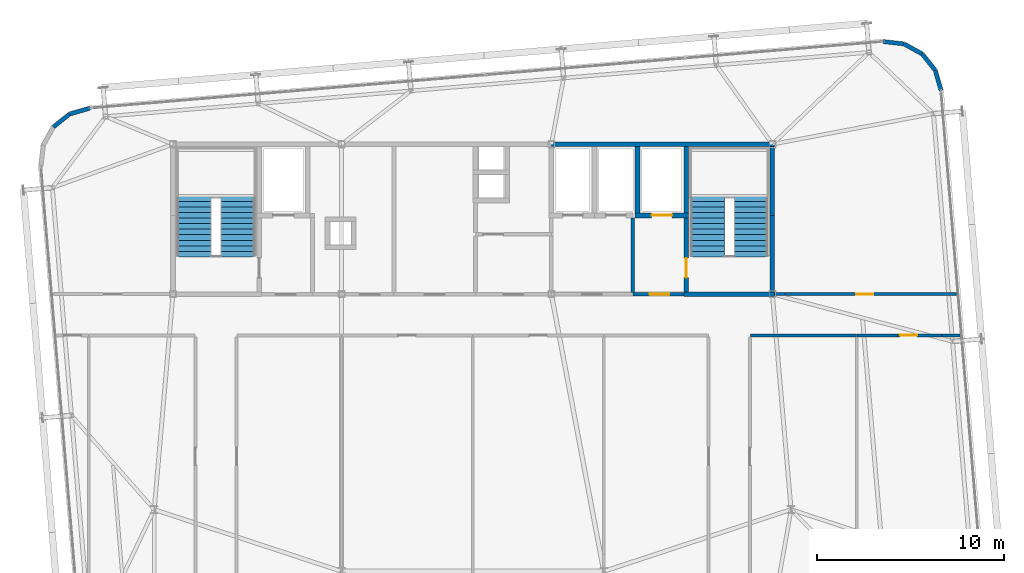
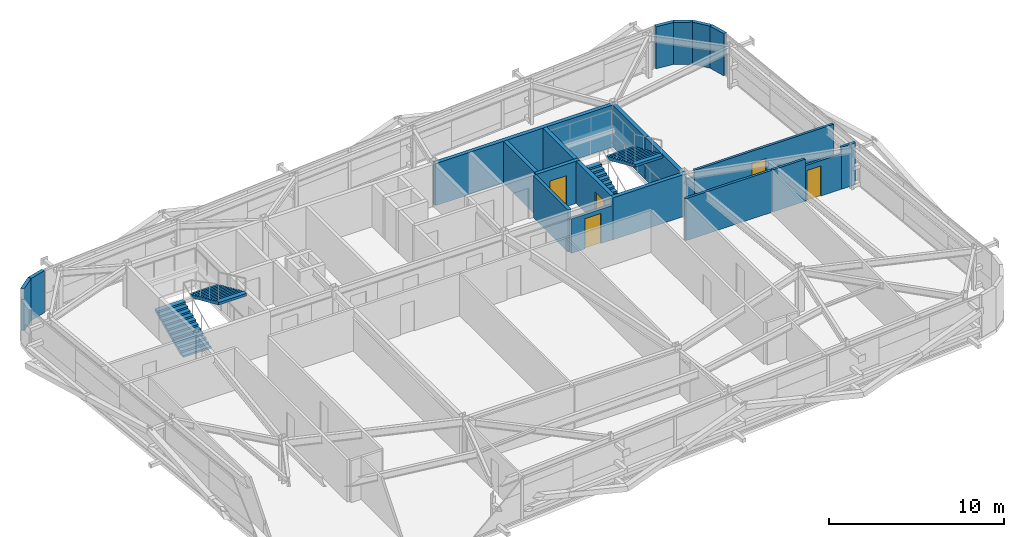
# One storey, part 35 of 37: 22 walls, 5 doors, 4 stair flights, 5 openings, 2 elements without a shape of their own.
"""IFC4 building model written with IfcOpenShell, lengths in metres."""

import ifcopenshell
import ifcopenshell.guid

model = None  # the IFC model being written
_history = None  # IfcOwnerHistory: only IFC2X3 demands one
_inside = {}  # id of a spatial element -> (the spatial element, [elements in it])
_under = {}  # id of a project, library or spatial element -> (it, [spatial elements below it])
_declared = {}  # id of a project -> (the project, [libraries it declares])
_typed = {}  # id of a type object -> (the type object, [elements of that type])
_made_of = {}  # id of a material, layer set ... -> (it, [elements and type objects made of it])


def new_model(schema):
    """Start an empty IFC model of exactly this schema.

    Asked for "IFC4X3", IfcOpenShell would pick the latest addendum, in which some entities
    have other attributes; the version numbers below select the first issue.
    IFC2X3 requires an IfcOwnerHistory on every rooted entity: one is made here for all.
    """
    global model, _history
    if schema == "IFC4X3":
        model = ifcopenshell.file(schema_version=(4, 3, 0, 0))
    else:
        model = ifcopenshell.file(schema=schema)
    _inside.clear()
    _under.clear()
    _declared.clear()
    _typed.clear()
    _made_of.clear()
    _history = None
    if model.schema == "IFC2X3":
        org = make("IfcOrganization", Name="unknown")
        user = make(
            "IfcPersonAndOrganization",
            ThePerson=make("IfcPerson", FamilyName="unknown"),
            TheOrganization=org,
        )
        app = make(
            "IfcApplication",
            ApplicationDeveloper=org,
            Version="unknown",
            ApplicationFullName="unknown",
            ApplicationIdentifier="unknown",
        )
        _history = make(
            "IfcOwnerHistory",
            OwningUser=user,
            OwningApplication=app,
            ChangeAction="ADDED",
            CreationDate=0,
        )
    return model


def make(cls, **values):
    """One entity of the class cls with the attributes given. An attribute that is None is left unset."""
    return model.create_entity(
        cls, **{name: value for name, value in values.items() if value is not None}
    )


def rooted(cls, **values):
    """An entity with a GlobalId (a new one), such as an element, a storey or a relation."""
    return make(cls, GlobalId=ifcopenshell.guid.new(), OwnerHistory=_history, **values)


def si_unit(unit_type, name, prefix=None):
    """IfcSIUnit, for example si_unit("LENGTHUNIT", "METRE", prefix="MILLI")."""
    return make("IfcSIUnit", UnitType=unit_type, Prefix=prefix, Name=name)


def assignment(units):
    """IfcUnitAssignment: the units of a project."""
    return None if units is None else make("IfcUnitAssignment", Units=units)


def point(xyz):
    """IfcCartesianPoint."""
    return None if xyz is None else make("IfcCartesianPoint", Coordinates=xyz)


def direction(xyz):
    """IfcDirection."""
    return None if xyz is None else make("IfcDirection", DirectionRatios=xyz)


def frame(location, z_axis=None, x_axis=None):
    """IfcAxis2Placement3D, a coordinate frame: its origin and axes. An axis left out is left unset."""
    return make(
        "IfcAxis2Placement3D",
        Location=point(location),
        Axis=direction(z_axis),
        RefDirection=direction(x_axis),
    )


def frame_2d(location, x_axis=None):
    """IfcAxis2Placement2D, a coordinate frame in the plane: its origin and x axis."""
    return make(
        "IfcAxis2Placement2D", Location=point(location), RefDirection=direction(x_axis)
    )


def origin():
    """The frame at (0, 0, 0) with its axes left unset."""
    return frame((0.0, 0.0, 0.0))


def place(relative_to, where):
    """IfcLocalPlacement: puts the frame where relative to a parent placement (None: the world)."""
    return make(
        "IfcLocalPlacement", PlacementRelTo=relative_to, RelativePlacement=where
    )


def context(
    kind, dimensions, precision=None, world=None, true_north=None, identifier=None
):
    """IfcGeometricRepresentationContext, for example the 3D "Model" context."""
    return make(
        "IfcGeometricRepresentationContext",
        ContextIdentifier=identifier,
        ContextType=kind,
        CoordinateSpaceDimension=dimensions,
        Precision=precision,
        WorldCoordinateSystem=world,
        TrueNorth=true_north,
    )


def subcontext(parent, identifier, kind, view, scale=None):
    """IfcGeometricRepresentationSubContext, for example "Body" below "Model"."""
    return make(
        "IfcGeometricRepresentationSubContext",
        ContextIdentifier=identifier,
        ContextType=kind,
        ParentContext=parent,
        TargetScale=scale,
        TargetView=view,
    )


def project(units=None, contexts=None):
    """IfcProject with its units and contexts."""
    return rooted(
        "IfcProject",
        Name="project",
        RepresentationContexts=contexts,
        UnitsInContext=assignment(units),
    )


def spatial(cls, under=None, at=None, **own):
    """A site, building, storey or space (cls), placed at a placement, below another one or the project."""
    s = rooted(cls, ObjectPlacement=at, **own)
    if under is not None:
        _under.setdefault(under.id(), (under, []))[1].append(s)
    return s


def polyline(points):
    """IfcPolyline through the points."""
    return make("IfcPolyline", Points=[point(p) for p in points])


def profile(cls, at=None, kind="AREA", **sizes):
    """A parametric profile (cls). Its sizes go by their IFC names, for example OverallWidth=200.0."""
    return make(cls, ProfileType=kind, Position=at, **sizes)


def rectangle(**sizes):
    """IfcRectangleProfileDef."""
    return profile("IfcRectangleProfileDef", **sizes)


def outline(outer, holes=None, kind="AREA"):
    """IfcArbitraryClosedProfileDef: a profile drawn as a closed curve; with holes, ...WithVoids."""
    if holes is None:
        return make("IfcArbitraryClosedProfileDef", ProfileType=kind, OuterCurve=outer)
    return make(
        "IfcArbitraryProfileDefWithVoids",
        ProfileType=kind,
        OuterCurve=outer,
        InnerCurves=holes,
    )


def extrude(swept, where, along, depth):
    """IfcExtrudedAreaSolid: the profile swept, set in the frame where, extruded along a direction by depth."""
    return make(
        "IfcExtrudedAreaSolid",
        SweptArea=swept,
        Position=where,
        ExtrudedDirection=direction(along),
        Depth=depth,
    )


def shape(context_of_items, identifier, shape_type, items):
    """IfcShapeRepresentation: the items that make up one representation, for example the "Body"."""
    return make(
        "IfcShapeRepresentation",
        ContextOfItems=context_of_items,
        RepresentationIdentifier=identifier,
        RepresentationType=shape_type,
        Items=items,
    )


def source(mapping_origin, context_of_items, identifier, shape_type, items):
    """IfcRepresentationMap: a shape defined once, which mapped items show again and again."""
    return make(
        "IfcRepresentationMap",
        MappingOrigin=mapping_origin,
        MappedRepresentation=shape(context_of_items, identifier, shape_type, items),
    )


def transform(
    local_origin,
    x_axis=None,
    y_axis=None,
    z_axis=None,
    scale=None,
    scale2=None,
    scale3=None,
    uniform=True,
):
    """IfcCartesianTransformationOperator3D, or its non-uniform kind. x_axis, y_axis, z_axis: its Axis1, 2, 3."""
    if uniform:
        return make(
            "IfcCartesianTransformationOperator3D",
            Axis1=direction(x_axis),
            Axis2=direction(y_axis),
            LocalOrigin=point(local_origin),
            Scale=scale,
            Axis3=direction(z_axis),
        )
    return make(
        "IfcCartesianTransformationOperator3DnonUniform",
        Axis1=direction(x_axis),
        Axis2=direction(y_axis),
        LocalOrigin=point(local_origin),
        Scale=scale,
        Axis3=direction(z_axis),
        Scale2=scale2,
        Scale3=scale3,
    )


def mapped(mapping_source, mapping_target):
    """IfcMappedItem: shows the shape of a source again, moved by a transform."""
    return make(
        "IfcMappedItem", MappingSource=mapping_source, MappingTarget=mapping_target
    )


def material(Name=None, Category=None):
    """IfcMaterial."""
    return make("IfcMaterial", Name=Name, Category=Category)


def layer(
    of_material, thickness, ventilated=None, Name=None, Category=None, Priority=None
):
    """IfcMaterialLayer: one layer of a wall or slab, of a material (None: an air gap)."""
    return make(
        "IfcMaterialLayer",
        Material=of_material,
        LayerThickness=thickness,
        IsVentilated=ventilated,
        Name=Name,
        Category=Category,
        Priority=Priority,
    )


def layer_set(layers, Name=None):
    """IfcMaterialLayerSet."""
    return make("IfcMaterialLayerSet", MaterialLayers=layers, LayerSetName=Name)


def made_of(thing, what):
    """Note that an element or type object is made of a material, layer set ...; save() writes the relation."""
    if what is not None:
        _made_of.setdefault(what.id(), (what, []))[1].append(thing)
    return thing


def type_object(cls, material=None, **own):
    """A type object (cls), such as IfcWallType, which elements share."""
    return made_of(rooted(cls, **own), material)


def element(
    cls,
    number,
    at=None,
    inside=None,
    cuts=None,
    type_object=None,
    material=None,
    context=None,
    identifier="Body",
    shape_type=None,
    held_by="IfcProductDefinitionShape",
    body=None,
    shapes=None,
    **own,
):
    """One element of the class cls, such as IfcWall. Its Tag is "e" and its number.

    at: its placement. inside: the storey or other place that contains it. cuts: it is an
    opening in that element (IfcRelVoidsElement). A single representation is given by context,
    identifier, shape_type and body (its items); several are given by shapes. held_by: the class
    of the entity that holds the representations. save() writes the other relations.
    """
    e = rooted(cls, Tag="e%d" % number, ObjectPlacement=at, **own)
    if body is not None:
        shapes = [shape(context, identifier, shape_type, body)]
    if shapes is not None:
        e.Representation = make(held_by, Representations=shapes)
    if inside is not None:
        _inside.setdefault(inside.id(), (inside, []))[1].append(e)
    if cuts is not None:
        rooted(
            "IfcRelVoidsElement", RelatingBuildingElement=cuts, RelatedOpeningElement=e
        )
    if type_object is not None:
        _typed.setdefault(type_object.id(), (type_object, []))[1].append(e)
    return made_of(e, material)


def fill(opening, filler):
    """IfcRelFillsElement: the door or window that sits in an opening."""
    return rooted(
        "IfcRelFillsElement",
        RelatingOpeningElement=opening,
        RelatedBuildingElement=filler,
    )


def aggregate(whole, parts):
    """IfcRelAggregates: a whole, such as a stair, and the parts it consists of."""
    return rooted("IfcRelAggregates", RelatingObject=whole, RelatedObjects=parts)


def save(model, path):
    """Write the relations noted so far, then the file.

    IfcRelAggregates (storeys below a building ...), IfcRelContainedInSpatialStructure (elements
    in a storey), IfcRelDefinesByType, IfcRelAssociatesMaterial and IfcRelDeclares: one each for
    every whole, place, type object, material and project.
    """
    for whole, parts in _under.values():
        aggregate(whole, parts)
    for where, things in _inside.values():
        rooted(
            "IfcRelContainedInSpatialStructure",
            RelatedElements=things,
            RelatingStructure=where,
        )
    for kind, things in _typed.values():
        rooted("IfcRelDefinesByType", RelatedObjects=things, RelatingType=kind)
    for what, things in _made_of.values():
        rooted("IfcRelAssociatesMaterial", RelatedObjects=things, RelatingMaterial=what)
    for by, libraries in _declared.values():
        rooted("IfcRelDeclares", RelatingContext=by, RelatedDefinitions=libraries)
    model.write(path)


model = new_model("IFC4")

# Units and contexts
model_context = context("Model", 3, precision=1e-05, world=origin(), true_north=direction((0.0, 1.0)))
body_context = subcontext(model_context, "Body", "Model", "MODEL_VIEW")
ifc_project = project(units=[si_unit("LENGTHUNIT", "METRE"), si_unit("AREAUNIT", "SQUARE_METRE"), si_unit("VOLUMEUNIT", "CUBIC_METRE"), si_unit("PLANEANGLEUNIT", "RADIAN"), si_unit("MASSUNIT", "GRAM", prefix="KILO")], contexts=[model_context])

# Site, building, storey
site_placement = place(None, origin())
site = spatial("IfcSite", under=ifc_project, at=site_placement, CompositionType="ELEMENT")
building_placement = place(site_placement, origin())
building = spatial("IfcBuilding", under=site, at=building_placement, Name="Taldren Reach Tower", CompositionType="ELEMENT")
storey_placement = place(building_placement, frame((0.0, 0.0, 172.550048828125)))
storey = spatial("IfcBuildingStorey", under=building, at=storey_placement, Name="L52", CompositionType="ELEMENT", Elevation=172.550048828125)

# Walls
ifc_material_1 = material(Name="Pale Champagne Anodised Aluminium Cladding", Category="aluminium")
ifc_layer_1 = layer(ifc_material_1, 0.04, Name="Pale Champagne Anodised Aluminium Cladding", Category="aluminium")
ifc_material_2 = material(Name="Mineral Wool Acoustic Insulation", Category="insulation")
ifc_layer_2 = layer(ifc_material_2, 0.06, Name="Mineral Wool Acoustic Insulation", Category="insulation")
ifc_material_3 = material(Name="Steel Gr 350 (C350L0)", Category="steel")
ifc_layer_3 = layer(ifc_material_3, 0.12, Name="Steel Gr 350 (C350L0)", Category="steel")
ifc_layer_set_1 = layer_set([ifc_layer_1, ifc_layer_2, ifc_layer_3], Name="Pale Champagne Aluminium Cladding and Steel Gr 350 Stud Framing")
wall_type_1 = type_object("IfcWallType", Name="EW-CRN-220", PredefinedType="SOLIDWALL", material=ifc_layer_set_1)
shared_shape_1 = source(origin(), body_context, "Body", "SweptSolid", [
    extrude(rectangle(XDim=1.115966796875, YDim=0.219970703125, at=frame_2d((0.55810546875, 0.0))), origin(), (0.0, 0.0, 1.0), 2.929931640625),
])
for number, where, z_axis, x_axis, name in (
    (1, (60.004150390625, 34.870361328125, 0.0), (0.0, 0.0, 1.0), (-0.276512002475, 0.961010464297, 0.0), "Rounded-corner pale-metal facade wall L52-NE1"),
    (2, (59.695556640625, 35.94287109375, 0.0), (0.0, 0.0, 1.0), (-0.623092886403, 0.782147847222, 0.0), "Rounded-corner pale-metal facade wall L52-NE2"),
    (3, (59.000244140625, 36.815673828125, 0.0), (0.0, 0.0, 1.0), (-0.875105012065, 0.483933071672, 0.0), "Rounded-corner pale-metal facade wall L52-NE3"),
    (4, (58.023681640625, 37.355712890625, 0.0), (0.0, 0.0, 1.0), (-0.993657581277, 0.112448259968, 0.0), "Rounded-corner pale-metal facade wall L52-NE4"),
    (5, (14.56396484375, 33.9248046875, 0.0), (0.0, 0.0, 1.0), (-0.961010464297, -0.276512002475, 0.0), "Rounded-corner pale-metal facade wall L52-NW1"),
):
    element("IfcWall", number, at=place(storey_placement, frame(where, z_axis=z_axis, x_axis=x_axis)), inside=storey, type_object=wall_type_1, Name=name, PredefinedType="SOLIDWALL", context=body_context, shape_type="MappedRepresentation", body=[
        mapped(shared_shape_1, transform((0.0, 0.0, 0.0), scale=1.0)),
    ])
shared_shape_2 = source(origin(), body_context, "Body", "SweptSolid", [
    extrude(rectangle(XDim=1.11572265625, YDim=0.219970703125, at=frame_2d((0.557861328125, 0.0))), origin(), (0.0, 0.0, 1.0), 2.929931640625),
])
wall_1_placement = place(storey_placement, frame((13.491455078125, 33.6162109375, 0.0), z_axis=(0.0, 0.0, 1.0), x_axis=(-0.782062884215, -0.623199522732, 0.0)))
element("IfcWall", 6, at=wall_1_placement, inside=storey, type_object=wall_type_1, Name="Rounded-corner pale-metal facade wall L52-NW2", PredefinedType="SOLIDWALL", context=body_context, shape_type="MappedRepresentation", body=[
    mapped(shared_shape_2, transform((0.0, 0.0, 0.0), scale=1.0)),
])
ifc_material_4 = material(Name="Concrete S65 (65 MPa)", Category="concrete")
ifc_layer_4 = layer(ifc_material_4, 0.25)
ifc_layer_set_2 = layer_set([ifc_layer_4], Name="Concrete S65 (65 MPa)")
wall_type_2 = type_object("IfcWallType", Name="IW-CORE-250", PredefinedType="SHEAR", material=ifc_layer_set_2)
shared_shape_3 = source(origin(), body_context, "Body", "SweptSolid", [
    extrude(rectangle(XDim=11.925048828125, YDim=0.25, at=frame_2d((5.96240234375, 0.0))), origin(), (0.0, 0.0, 1.0), 2.929931640625),
])
wall_2_placement = place(storey_placement, frame((39.199951171875, 32.0, 0.0), z_axis=(0.0, 0.0, 1.0), x_axis=(1.0, 0.0, 0.0)))
element("IfcWall", 7, at=wall_2_placement, inside=storey, type_object=wall_type_2, Name="Rear Core Shear Wall W-CORE-L52-NORTH3", PredefinedType="SHEAR", context=body_context, shape_type="MappedRepresentation", body=[
    mapped(shared_shape_3, transform((0.0, 0.0, 0.0), scale=1.0)),
])
shared_shape_4 = source(origin(), body_context, "Body", "SweptSolid", [
    extrude(rectangle(XDim=4.074951171875, YDim=0.25, at=frame_2d((2.03759765625, 0.0))), origin(), (0.0, 0.0, 1.0), 2.929931640625),
])
wall_3_placement = place(storey_placement, frame((51.0, 24.125, 0.0), z_axis=(0.0, 0.0, 1.0), x_axis=(0.0, 1.0, 0.0)))
element("IfcWall", 8, at=wall_3_placement, inside=storey, type_object=wall_type_2, Name="Rear Core Shear Wall W-CORE-L52-EAST1", PredefinedType="SHEAR", context=body_context, shape_type="MappedRepresentation", body=[
    mapped(shared_shape_4, transform((0.0, 0.0, 0.0), scale=1.0)),
])
shared_shape_5 = source(origin(), body_context, "Body", "SweptSolid", [
    extrude(rectangle(XDim=3.675048828125, YDim=0.25, at=frame_2d((1.83740234375, 0.0))), origin(), (0.0, 0.0, 1.0), 2.929931640625),
])
wall_4_placement = place(storey_placement, frame((51.0, 28.199951171875, 0.0), z_axis=(0.0, 0.0, 1.0), x_axis=(0.0, 1.0, 0.0)))
element("IfcWall", 9, at=wall_4_placement, inside=storey, type_object=wall_type_2, Name="Rear Core Shear Wall W-CORE-L52-EAST2", PredefinedType="SHEAR", context=body_context, shape_type="MappedRepresentation", body=[
    mapped(shared_shape_5, transform((0.0, 0.0, 0.0), scale=1.0)),
])
shared_shape_6 = source(origin(), body_context, "Body", "SweptSolid", [
    extrude(rectangle(XDim=3.550048828125, YDim=0.25, at=frame_2d((1.77490234375, 0.0))), origin(), (0.0, 0.0, 1.0), 2.929931640625),
])
for number, where, z_axis, x_axis, name in (
    (10, (46.39990234375, 31.875, 0.0), (0.0, 0.0, 1.0), (0.0, -1.0, 0.0), "Rear Core Shear Wall W-INT-L52-008"),
    (11, (43.800048828125, 31.875, 0.0), (0.0, 0.0, 1.0), (0.0, -1.0, 0.0), "Rear Core Shear Wall W-INT-L52-012"),
):
    element("IfcWall", number, at=place(storey_placement, frame(where, z_axis=z_axis, x_axis=x_axis)), inside=storey, type_object=wall_type_2, Name=name, PredefinedType="SHEAR", context=body_context, shape_type="MappedRepresentation", body=[
        mapped(shared_shape_6, transform((0.0, 0.0, 0.0), scale=1.0)),
    ])

# Wall, opening, door
shared_shape_7 = source(origin(), body_context, "Body", "SweptSolid", [
    extrude(rectangle(XDim=3.949951171875, YDim=0.25, at=frame_2d((1.97509765625, 0.0))), origin(), (0.0, 0.0, 1.0), 2.929931640625),
])
wall_5_placement = place(storey_placement, frame((46.39990234375, 28.074951171875, 0.0), z_axis=(0.0, 0.0, 1.0), x_axis=(0.0, -1.0, 0.0)))
wall_5 = element("IfcWall", 12, at=wall_5_placement, inside=storey, type_object=wall_type_2, Name="Rear Core Shear Wall W-INT-L52-009", PredefinedType="SHEAR", context=body_context, shape_type="MappedRepresentation", body=[
    mapped(shared_shape_7, transform((0.0, 0.0, 0.0), scale=1.0)),
])
shared_shape_8 = source(origin(), body_context, "Body", "SweptSolid", [
    extrude(rectangle(XDim=1.050048828125, YDim=2.10009765625, at=frame_2d((0.52490234375, 1.050048828125))), frame((0.0, 0.135009765625, 0.0), z_axis=(0.0, -1.0, 0.0), x_axis=(1.0, 0.0, 0.0)), (0.0, 0.0, 1.0), 0.27001953125),
])
opening_1_placement = place(wall_5_placement, frame((2.14990234375, 0.0, 0.0)))
opening_1 = element("IfcOpeningElement", 13, at=opening_1_placement, cuts=wall_5, Name="Opening DF-105", PredefinedType="OPENING", context=body_context, shape_type="MappedRepresentation", body=[
    mapped(shared_shape_8, transform((0.0, 0.0, 0.0), scale=1.0)),
])
ifc_material_5 = material(Name="Fire-Rated Care and Stair Exit Door")
door_type_1 = type_object("IfcDoorType", Name="ID-FIRE-105", OperationType="NOTDEFINED", PredefinedType="DOOR", material=ifc_material_5)
shared_shape_9 = source(origin(), body_context, "Body", "SweptSolid", [
    extrude(rectangle(XDim=1.050048828125, YDim=2.10009765625, at=frame_2d((0.52490234375, 1.050048828125))), frame((0.0, 0.02490234375, 0.0), z_axis=(0.0, -1.0, 0.0), x_axis=(1.0, 0.0, 0.0)), (0.0, 0.0, 1.0), 0.050048828125),
])
door_1_placement = place(opening_1_placement, origin())
door_1 = element("IfcDoor", 14, at=door_1_placement, inside=storey, type_object=door_type_1, Name="Fire Exit Stair Door DR-L52-003", OperationType="SINGLE_SWING_RIGHT", OverallHeight=2.10009765625, OverallWidth=1.050048828125, PredefinedType="DOOR", context=body_context, shape_type="MappedRepresentation", body=[
    mapped(shared_shape_9, transform((0.0, 0.0, 0.0), scale=1.0)),
])
fill(opening_1, door_1)

# Wall
shared_shape_10 = source(origin(), body_context, "Body", "SweptSolid", [
    extrude(rectangle(XDim=4.85009765625, YDim=0.25, at=frame_2d((2.425048828125, 0.0))), origin(), (0.0, 0.0, 1.0), 2.929931640625),
])
wall_6_placement = place(storey_placement, frame((46.27490234375, 24.0, 0.0), z_axis=(0.0, 0.0, 1.0), x_axis=(1.0, 0.0, 0.0)))
element("IfcWall", 15, at=wall_6_placement, inside=storey, type_object=wall_type_2, Name="Rear Core Shear Wall W-INT-L52-010", PredefinedType="SHEAR", context=body_context, shape_type="MappedRepresentation", body=[
    mapped(shared_shape_10, transform((0.0, 0.0, 0.0), scale=1.0)),
])

# Wall, opening, door
shared_shape_11 = source(origin(), body_context, "Body", "SweptSolid", [
    extrude(rectangle(XDim=2.849853515625, YDim=0.25, at=frame_2d((1.4248046875, 0.0))), origin(), (0.0, 0.0, 1.0), 2.929931640625),
])
wall_7_placement = place(storey_placement, frame((43.675048828125, 28.199951171875, 0.0), z_axis=(0.0, 0.0, 1.0), x_axis=(1.0, 0.0, 0.0)))
wall_7 = element("IfcWall", 16, at=wall_7_placement, inside=storey, type_object=wall_type_2, Name="Rear Core Shear Wall W-INT-L52-011", PredefinedType="SHEAR", context=body_context, shape_type="MappedRepresentation", body=[
    mapped(shared_shape_11, transform((0.0, 0.0, 0.0), scale=1.0)),
])
shared_shape_12 = source(origin(), body_context, "Body", "SweptSolid", [
    extrude(rectangle(XDim=1.10009765625, YDim=2.14990234375, at=frame_2d((0.550048828125, 1.074951171875))), frame((0.0, 0.135009765625, 0.0), z_axis=(0.0, -1.0, 0.0), x_axis=(1.0, 0.0, 0.0)), (0.0, 0.0, 1.0), 0.27001953125),
])
opening_2_placement = place(wall_7_placement, frame((0.875, 0.0, 0.0)))
opening_2 = element("IfcOpeningElement", 17, at=opening_2_placement, cuts=wall_7, Name="Opening LD-FL2", PredefinedType="OPENING", context=body_context, shape_type="MappedRepresentation", body=[
    mapped(shared_shape_12, transform((0.0, 0.0, 0.0), scale=1.0)),
])
ifc_material_6 = material(Name="Stainless Steel Gr 316 Emergency Lift Landing Door", Category="steel")
door_type_2 = type_object("IfcDoorType", Name="LD-EMG-110", OperationType="SLIDING_TO_LEFT", PredefinedType="DOOR", material=ifc_material_6)
shared_shape_13 = source(origin(), body_context, "Body", "SweptSolid", [
    extrude(rectangle(XDim=1.10009765625, YDim=2.14990234375, at=frame_2d((0.550048828125, 1.074951171875))), frame((0.0, 0.02490234375, 0.0), z_axis=(0.0, -1.0, 0.0), x_axis=(1.0, 0.0, 0.0)), (0.0, 0.0, 1.0), 0.050048828125),
])
door_2_placement = place(opening_2_placement, origin())
door_2 = element("IfcDoor", 18, at=door_2_placement, inside=storey, type_object=door_type_2, Name="Lift Landing Door LD-FL2-L52", OperationType="SLIDING_TO_LEFT", OverallHeight=2.14990234375, OverallWidth=1.10009765625, PredefinedType="DOOR", context=body_context, shape_type="MappedRepresentation", body=[
    mapped(shared_shape_13, transform((0.0, 0.0, 0.0), scale=1.0)),
])
fill(opening_2, door_2)

# Wall
ifc_material_7 = material(Name="Concrete S50 (50 MPa)", Category="concrete")
ifc_layer_5 = layer(ifc_material_7, 0.199951171875)
ifc_layer_set_3 = layer_set([ifc_layer_5], Name="Concrete S50 (50 MPa)")
wall_type_3 = type_object("IfcWallType", Name="IW-CORE-200", PredefinedType="SOLIDWALL", material=ifc_layer_set_3)
shared_shape_14 = source(origin(), body_context, "Body", "SweptSolid", [
    extrude(rectangle(XDim=3.974853515625, YDim=0.199951171875, at=frame_2d((1.9873046875, 0.0))), origin(), (0.0, 0.0, 1.0), 2.929931640625),
])
wall_8_placement = place(storey_placement, frame((43.550048828125, 28.074951171875, 0.0), z_axis=(0.0, 0.0, 1.0), x_axis=(0.0, -1.0, 0.0)))
element("IfcWall", 19, at=wall_8_placement, inside=storey, type_object=wall_type_3, Name="Rear Core Shear Wall W-INT-L52-013", PredefinedType="SOLIDWALL", context=body_context, shape_type="MappedRepresentation", body=[
    mapped(shared_shape_14, transform((0.0, 0.0, 0.0), scale=1.0)),
])

# Wall, opening, door
shared_shape_15 = source(origin(), body_context, "Body", "SweptSolid", [
    extrude(rectangle(XDim=2.724853515625, YDim=0.199951171875, at=frame_2d((1.3623046875, 0.0))), origin(), (0.0, 0.0, 1.0), 2.39697265625),
])
wall_9_placement = place(storey_placement, frame((43.550048828125, 24.0, 0.0), z_axis=(0.0, 0.0, 1.0), x_axis=(1.0, 0.0, 0.0)))
wall_9 = element("IfcWall", 20, at=wall_9_placement, inside=storey, type_object=wall_type_3, Name="Rear Core Shear Wall W-INT-L52-014", PredefinedType="SOLIDWALL", context=body_context, shape_type="MappedRepresentation", body=[
    mapped(shared_shape_15, transform((0.0, 0.0, 0.0), scale=1.0)),
])
shared_shape_16 = source(origin(), body_context, "Body", "SweptSolid", [
    extrude(rectangle(XDim=1.050048828125, YDim=2.10009765625, at=frame_2d((0.52490234375, 1.050048828125))), frame((0.0, 0.10986328125, 0.0), z_axis=(0.0, -1.0, 0.0), x_axis=(1.0, 0.0, 0.0)), (0.0, 0.0, 1.0), 0.219970703125),
])
opening_3_placement = place(wall_9_placement, frame((0.89990234375, 0.0, 0.0)))
opening_3 = element("IfcOpeningElement", 21, at=opening_3_placement, cuts=wall_9, Name="Opening DF-105", PredefinedType="OPENING", context=body_context, shape_type="MappedRepresentation", body=[
    mapped(shared_shape_16, transform((0.0, 0.0, 0.0), scale=1.0)),
])
door_3_placement = place(opening_3_placement, origin())
door_3 = element("IfcDoor", 22, at=door_3_placement, inside=storey, type_object=door_type_1, Name="Interior Door DR-L52-004", OperationType="SINGLE_SWING_LEFT", OverallHeight=2.10009765625, OverallWidth=1.050048828125, PredefinedType="DOOR", context=body_context, shape_type="MappedRepresentation", body=[
    mapped(shared_shape_9, transform((0.0, 0.0, 0.0), scale=1.0)),
])
fill(opening_3, door_3)

# Walls
ifc_material_8 = material(Name="Fire-Rated Acoustic Plasterboard Stud Wall", Category="gypsum")
ifc_layer_6 = layer(ifc_material_8, 0.159912109375)
ifc_layer_set_4 = layer_set([ifc_layer_6], Name="Fire-Rated Acoustic Plasterboard Stud Wall")
wall_type_4 = type_object("IfcWallType", Name="IW-FIRE-160", PredefinedType="PARTITIONING", material=ifc_layer_set_4)
shared_shape_17 = source(origin(), body_context, "Body", "SweptSolid", [
    extrude(rectangle(XDim=5.659423828125, YDim=0.159912109375, at=frame_2d((2.82958984375, 0.0))), origin(), (0.0, 0.0, 1.0), 2.929931640625),
])
wall_10_placement = place(storey_placement, frame((55.479736328125, 21.800048828125, 0.0), z_axis=(0.0, 0.0, 1.0), x_axis=(-1.0, 0.0, 0.0)))
element("IfcWall", 23, at=wall_10_placement, inside=storey, type_object=wall_type_4, Name="Interior Partition Wall W-INT-L52-054", PredefinedType="PARTITIONING", context=body_context, shape_type="MappedRepresentation", body=[
    mapped(shared_shape_17, transform((0.0, 0.0, 0.0), scale=1.0)),
])
shared_shape_18 = source(origin(), body_context, "Body", "SweptSolid", [
    extrude(rectangle(XDim=0.5556640625, YDim=0.159912109375, at=frame_2d((0.27783203125, 0.0))), origin(), (0.0, 0.0, 1.0), 2.469970703125),
])
wall_11_placement = place(storey_placement, frame((51.125, 24.0, 0.0), z_axis=(0.0, 0.0, 1.0), x_axis=(1.0, 0.0, 0.0)))
element("IfcWall", 24, at=wall_11_placement, inside=storey, type_object=wall_type_4, Name="Interior Partition Wall W-INT-L52-048", PredefinedType="PARTITIONING", context=body_context, shape_type="MappedRepresentation", body=[
    mapped(shared_shape_18, transform((0.0, 0.0, 0.0), scale=1.0)),
])

# Wall, opening, door
shared_shape_19 = source(origin(), body_context, "Body", "SweptSolid", [
    extrude(rectangle(XDim=9.15283203125, YDim=0.159912109375, at=frame_2d((4.576416015625, 0.0))), origin(), (0.0, 0.0, 1.0), 2.929931640625),
])
wall_12_placement = place(storey_placement, frame((51.6806640625, 24.0, 0.0), z_axis=(0.0, 0.0, 1.0), x_axis=(1.0, 0.0, 0.0)))
wall_12 = element("IfcWall", 25, at=wall_12_placement, inside=storey, type_object=wall_type_4, Name="Interior Partition Wall W-INT-L52-048 part 2", PredefinedType="PARTITIONING", context=body_context, shape_type="MappedRepresentation", body=[
    mapped(shared_shape_19, transform((0.0, 0.0, 0.0), scale=1.0)),
])
shared_shape_20 = source(origin(), body_context, "Body", "SweptSolid", [
    extrude(rectangle(XDim=0.919921875, YDim=2.10009765625, at=frame_2d((0.4599609375, 1.050048828125))), frame((0.0, 0.08984375, 0.0), z_axis=(0.0, -1.0, 0.0), x_axis=(1.0, 0.0, 0.0)), (0.0, 0.0, 1.0), 0.179931640625),
])
opening_4_placement = place(wall_12_placement, frame((3.7861328125, 0.0, 0.0)))
opening_4 = element("IfcOpeningElement", 26, at=opening_4_placement, cuts=wall_12, Name="Opening DI-092", PredefinedType="OPENING", context=body_context, shape_type="MappedRepresentation", body=[
    mapped(shared_shape_20, transform((0.0, 0.0, 0.0), scale=1.0)),
])
ifc_material_9 = material(Name="Solid-Core Timber Suite Door", Category="wood")
door_type_3 = type_object("IfcDoorType", Name="ID-INT-092", OperationType="NOTDEFINED", PredefinedType="DOOR", material=ifc_material_9)
shared_shape_21 = source(origin(), body_context, "Body", "SweptSolid", [
    extrude(rectangle(XDim=0.919921875, YDim=2.10009765625, at=frame_2d((0.4599609375, 1.050048828125))), frame((0.0, 0.02490234375, 0.0), z_axis=(0.0, -1.0, 0.0), x_axis=(1.0, 0.0, 0.0)), (0.0, 0.0, 1.0), 0.050048828125),
])
door_4_placement = place(opening_4_placement, origin())
door_4 = element("IfcDoor", 27, at=door_4_placement, inside=storey, type_object=door_type_3, Name="Interior Door DR-L52-015", OperationType="SINGLE_SWING_RIGHT", OverallHeight=2.10009765625, OverallWidth=0.919921875, PredefinedType="DOOR", context=body_context, shape_type="MappedRepresentation", body=[
    mapped(shared_shape_21, transform((0.0, 0.0, 0.0), scale=1.0)),
])
fill(opening_4, door_4)

# Wall
shared_shape_22 = source(origin(), body_context, "Body", "SweptSolid", [
    extrude(rectangle(XDim=0.9453125, YDim=0.159912109375, at=frame_2d((0.47265625, 0.0))), origin(), (0.0, 0.0, 1.0), 2.929931640625),
])
wall_13_placement = place(storey_placement, frame((61.004638671875, 21.800048828125, 0.0), z_axis=(0.0, 0.0, 1.0), x_axis=(-1.0, 0.0, 0.0)))
element("IfcWall", 28, at=wall_13_placement, inside=storey, type_object=wall_type_4, Name="Interior Partition Wall W-INT-L52-056", PredefinedType="PARTITIONING", context=body_context, shape_type="MappedRepresentation", body=[
    mapped(shared_shape_22, transform((0.0, 0.0, 0.0), scale=1.0)),
])

# Wall, opening, door
shared_shape_23 = source(origin(), body_context, "Body", "SweptSolid", [
    extrude(rectangle(XDim=2.35693359375, YDim=0.159912109375, at=frame_2d((1.178466796875, 0.0))), origin(), (0.0, 0.0, 1.0), 2.469970703125),
])
wall_14_placement = place(storey_placement, frame((60.059326171875, 21.800048828125, 0.0), z_axis=(0.0, 0.0, 1.0), x_axis=(-1.0, 0.0, 0.0)))
wall_14 = element("IfcWall", 29, at=wall_14_placement, inside=storey, type_object=wall_type_4, Name="Interior Partition Wall W-INT-L52-056 part 2", PredefinedType="PARTITIONING", context=body_context, shape_type="MappedRepresentation", body=[
    mapped(shared_shape_23, transform((0.0, 0.0, 0.0), scale=1.0)),
])
opening_5_placement = place(wall_14_placement, frame((1.3369140625, 0.0, 0.0)))
opening_5 = element("IfcOpeningElement", 30, at=opening_5_placement, cuts=wall_14, Name="Opening DI-092", PredefinedType="OPENING", context=body_context, shape_type="MappedRepresentation", body=[
    mapped(shared_shape_20, transform((0.0, 0.0, 0.0), scale=1.0)),
])
door_5_placement = place(opening_5_placement, origin())
door_5 = element("IfcDoor", 31, at=door_5_placement, inside=storey, type_object=door_type_3, Name="Interior Door DR-L52-019", OperationType="SINGLE_SWING_RIGHT", OverallHeight=2.10009765625, OverallWidth=0.919921875, PredefinedType="DOOR", context=body_context, shape_type="MappedRepresentation", body=[
    mapped(shared_shape_21, transform((0.0, 0.0, 0.0), scale=1.0)),
])
fill(opening_5, door_5)

# Wall
shared_shape_24 = source(origin(), body_context, "Body", "SweptSolid", [
    extrude(rectangle(XDim=2.18212890625, YDim=0.159912109375, at=frame_2d((1.091064453125, 0.0))), origin(), (0.0, 0.0, 1.0), 2.929931640625),
])
wall_15_placement = place(storey_placement, frame((57.702392578125, 21.800048828125, 0.0), z_axis=(0.0, 0.0, 1.0), x_axis=(-1.0, 0.0, 0.0)))
element("IfcWall", 32, at=wall_15_placement, inside=storey, type_object=wall_type_4, Name="Interior Partition Wall W-INT-L52-056 part 3", PredefinedType="PARTITIONING", context=body_context, shape_type="MappedRepresentation", body=[
    mapped(shared_shape_24, transform((0.0, 0.0, 0.0), scale=1.0)),
])

# Stair, stair flights
stair_type = type_object("IfcStairType", Name="ST-HT-315", PredefinedType="HALF_TURN_STAIR", material=ifc_material_7)
stair_1_placement = place(storey_placement, origin())
stair_1 = element("IfcStair", 33, at=stair_1_placement, inside=storey, type_object=stair_type, Name="Fire-isolated exit stair ST1 L52", PredefinedType="HALF_TURN_STAIR")
stair_flight_type = type_object("IfcStairFlightType", Name="SF-STR-315", PredefinedType="STRAIGHT", material=ifc_material_7)
stair_flight_1_placement = place(storey_placement, frame((20.139892578125, 25.989990234375, 0.0), z_axis=(0.0, 0.0, 1.0), x_axis=(0.0, 1.0, 0.0)))
stair_flight_1 = element("IfcStairFlight", 34, at=stair_flight_1_placement, type_object=stair_flight_type, Name="ST1 flight 1", NumberOfRisers=12, NumberOfTreads=11, PredefinedType="STRAIGHT", RiserHeight=0.13125, TreadLength=0.295, context=body_context, shape_type="SweptSolid", body=[
    extrude(outline(polyline([(0.0, 0.0), (0.0, 0.13134765625), (0.294921875, 0.13134765625), (0.294921875, 0.262451171875), (0.590087890625, 0.262451171875), (0.590087890625, 0.393798828125), (0.885009765625, 0.393798828125), (0.885009765625, 0.52490234375), (1.179931640625, 0.52490234375), (1.179931640625, 0.65625), (1.47509765625, 0.65625), (1.47509765625, 0.78759765625), (1.77001953125, 0.78759765625), (1.77001953125, 0.918701171875), (2.06494140625, 0.918701171875), (2.06494140625, 1.050048828125), (2.360107421875, 1.050048828125), (2.360107421875, 1.18115234375), (2.655029296875, 1.18115234375), (2.655029296875, 1.3125), (2.949951171875, 1.3125), (2.949951171875, 1.44384765625), (3.2451171875, 1.44384765625), (3.2451171875, 1.574951171875), (3.2451171875, 1.268798828125), (0.393310546875, 0.0), (0.0, 0.0)])), frame((0.0, 0.919921875, 0.0), z_axis=(0.0, -1.0, 0.0), x_axis=(1.0, 0.0, 0.0)), (0.0, 0.0, 1.0), 1.840087890625),
])
stair_flight_2_placement = place(storey_placement, frame((22.4599609375, 29.235107421875, 1.574951171875), z_axis=(0.0, 0.0, 1.0), x_axis=(0.0, -1.0, 0.0)))
stair_flight_2 = element("IfcStairFlight", 35, at=stair_flight_2_placement, type_object=stair_flight_type, Name="ST1 flight 2", NumberOfRisers=12, NumberOfTreads=11, PredefinedType="STRAIGHT", RiserHeight=0.13125, TreadLength=0.295, context=body_context, shape_type="SweptSolid", body=[
    extrude(outline(polyline([(0.0, 0.0), (0.0, 0.13134765625), (0.294921875, 0.13134765625), (0.294921875, 0.262451171875), (0.590087890625, 0.262451171875), (0.590087890625, 0.393798828125), (0.885009765625, 0.393798828125), (0.885009765625, 0.52490234375), (1.179931640625, 0.52490234375), (1.179931640625, 0.65625), (1.47509765625, 0.65625), (1.47509765625, 0.78759765625), (1.77001953125, 0.78759765625), (1.77001953125, 0.918701171875), (2.06494140625, 0.918701171875), (2.06494140625, 1.050048828125), (2.360107421875, 1.050048828125), (2.360107421875, 1.18115234375), (2.655029296875, 1.18115234375), (2.655029296875, 1.3125), (2.949951171875, 1.3125), (2.949951171875, 1.44384765625), (3.2451171875, 1.44384765625), (3.2451171875, 1.574951171875), (3.2451171875, 1.268798828125), (0.393310546875, 0.0), (0.0, 0.0)])), frame((0.0, 0.919921875, 0.0), z_axis=(0.0, -1.0, 0.0), x_axis=(1.0, 0.0, 0.0)), (0.0, 0.0, 1.0), 1.840087890625),
])
aggregate(stair_1, [stair_flight_1, stair_flight_2])

stair_2_placement = place(storey_placement, origin())
stair_2 = element("IfcStair", 36, at=stair_2_placement, inside=storey, type_object=stair_type, Name="Fire-isolated exit stair ST2 L52", PredefinedType="HALF_TURN_STAIR")
stair_flight_3_placement = place(storey_placement, frame((47.5400390625, 25.989990234375, 0.0), z_axis=(0.0, 0.0, 1.0), x_axis=(0.0, 1.0, 0.0)))
stair_flight_3 = element("IfcStairFlight", 37, at=stair_flight_3_placement, type_object=stair_flight_type, Name="ST2 flight 1", NumberOfRisers=12, NumberOfTreads=11, PredefinedType="STRAIGHT", RiserHeight=0.13125, TreadLength=0.295, context=body_context, shape_type="SweptSolid", body=[
    extrude(outline(polyline([(0.0, 0.0), (0.0, 0.13134765625), (0.294921875, 0.13134765625), (0.294921875, 0.262451171875), (0.590087890625, 0.262451171875), (0.590087890625, 0.393798828125), (0.885009765625, 0.393798828125), (0.885009765625, 0.52490234375), (1.179931640625, 0.52490234375), (1.179931640625, 0.65625), (1.47509765625, 0.65625), (1.47509765625, 0.78759765625), (1.77001953125, 0.78759765625), (1.77001953125, 0.918701171875), (2.06494140625, 0.918701171875), (2.06494140625, 1.050048828125), (2.360107421875, 1.050048828125), (2.360107421875, 1.18115234375), (2.655029296875, 1.18115234375), (2.655029296875, 1.3125), (2.949951171875, 1.3125), (2.949951171875, 1.44384765625), (3.2451171875, 1.44384765625), (3.2451171875, 1.574951171875), (3.2451171875, 1.268798828125), (0.393310546875, 0.0), (0.0, 0.0)])), frame((0.0, 0.919921875, 0.0), z_axis=(0.0, -1.0, 0.0), x_axis=(1.0, 0.0, 0.0)), (0.0, 0.0, 1.0), 1.840087890625),
])
stair_flight_4_placement = place(storey_placement, frame((49.860107421875, 29.235107421875, 1.574951171875), z_axis=(0.0, 0.0, 1.0), x_axis=(0.0, -1.0, 0.0)))
stair_flight_4 = element("IfcStairFlight", 38, at=stair_flight_4_placement, type_object=stair_flight_type, Name="ST2 flight 2", NumberOfRisers=12, NumberOfTreads=11, PredefinedType="STRAIGHT", RiserHeight=0.13125, TreadLength=0.295, context=body_context, shape_type="SweptSolid", body=[
    extrude(outline(polyline([(0.0, 0.0), (0.0, 0.13134765625), (0.294921875, 0.13134765625), (0.294921875, 0.262451171875), (0.590087890625, 0.262451171875), (0.590087890625, 0.393798828125), (0.885009765625, 0.393798828125), (0.885009765625, 0.52490234375), (1.179931640625, 0.52490234375), (1.179931640625, 0.65625), (1.47509765625, 0.65625), (1.47509765625, 0.78759765625), (1.77001953125, 0.78759765625), (1.77001953125, 0.918701171875), (2.06494140625, 0.918701171875), (2.06494140625, 1.050048828125), (2.360107421875, 1.050048828125), (2.360107421875, 1.18115234375), (2.655029296875, 1.18115234375), (2.655029296875, 1.3125), (2.949951171875, 1.3125), (2.949951171875, 1.44384765625), (3.2451171875, 1.44384765625), (3.2451171875, 1.574951171875), (3.2451171875, 1.268798828125), (0.393310546875, 0.0), (0.0, 0.0)])), frame((0.0, 0.919921875, 0.0), z_axis=(0.0, -1.0, 0.0), x_axis=(1.0, 0.0, 0.0)), (0.0, 0.0, 1.0), 1.840087890625),
])
aggregate(stair_2, [stair_flight_3, stair_flight_4])

save(model, "model.ifc")
